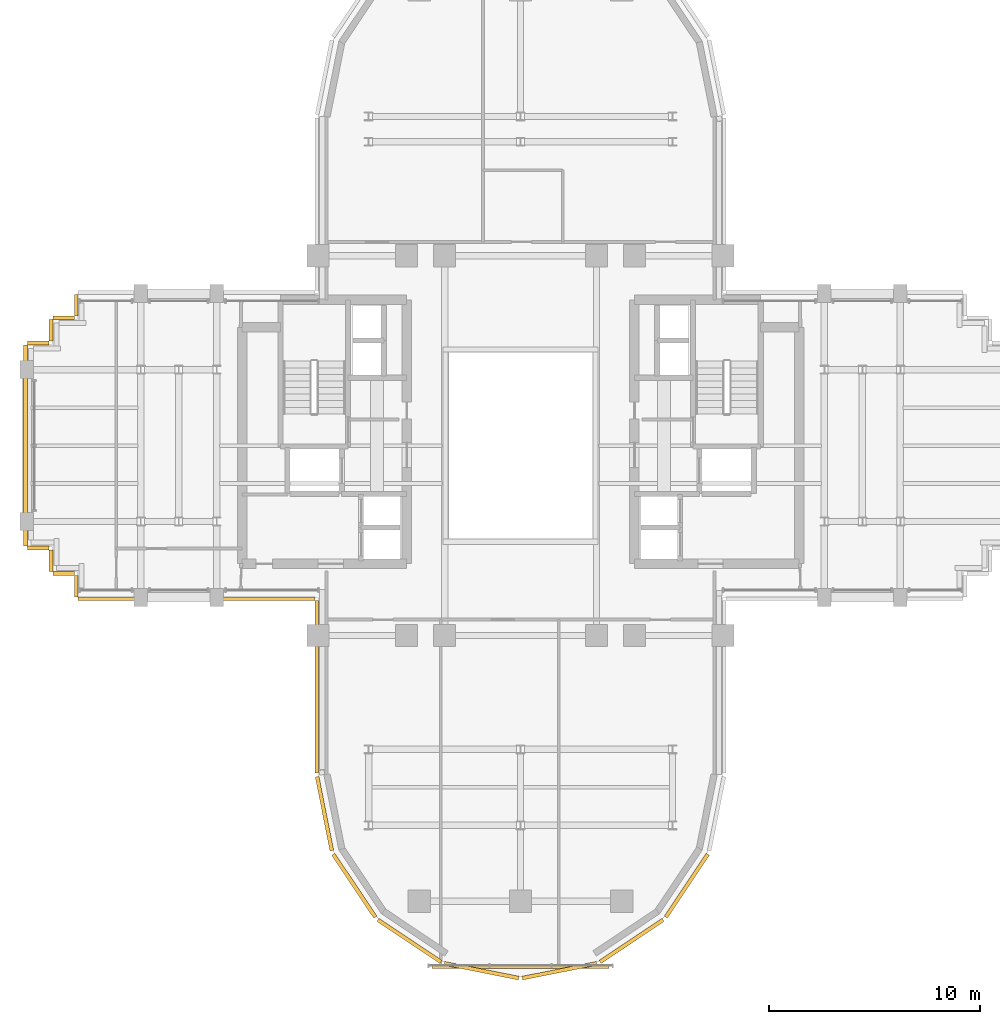
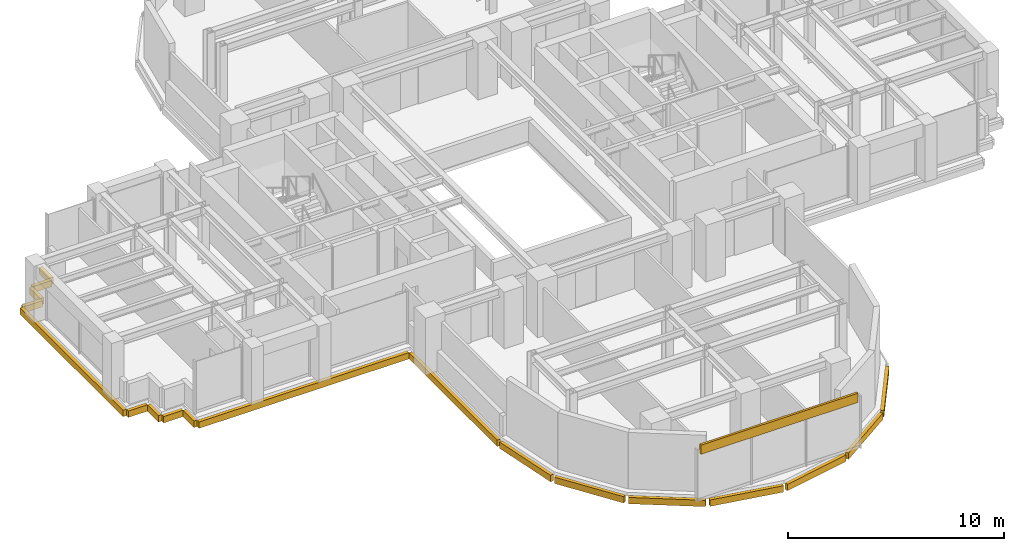
# One storey, part 11 of 13: 19 coverings.
"""IFC4 building model written with IfcOpenShell, lengths in metres."""

import ifcopenshell
import ifcopenshell.guid

model = None  # the IFC model being written
_history = None  # IfcOwnerHistory: only IFC2X3 demands one
_inside = {}  # id of a spatial element -> (the spatial element, [elements in it])
_under = {}  # id of a project, library or spatial element -> (it, [spatial elements below it])
_declared = {}  # id of a project -> (the project, [libraries it declares])
_typed = {}  # id of a type object -> (the type object, [elements of that type])
_made_of = {}  # id of a material, layer set ... -> (it, [elements and type objects made of it])


def new_model(schema):
    """Start an empty IFC model of exactly this schema.

    Asked for "IFC4X3", IfcOpenShell would pick the latest addendum, in which some entities
    have other attributes; the version numbers below select the first issue.
    IFC2X3 requires an IfcOwnerHistory on every rooted entity: one is made here for all.
    """
    global model, _history
    if schema == "IFC4X3":
        model = ifcopenshell.file(schema_version=(4, 3, 0, 0))
    else:
        model = ifcopenshell.file(schema=schema)
    _inside.clear()
    _under.clear()
    _declared.clear()
    _typed.clear()
    _made_of.clear()
    _history = None
    if model.schema == "IFC2X3":
        org = make("IfcOrganization", Name="unknown")
        user = make(
            "IfcPersonAndOrganization",
            ThePerson=make("IfcPerson", FamilyName="unknown"),
            TheOrganization=org,
        )
        app = make(
            "IfcApplication",
            ApplicationDeveloper=org,
            Version="unknown",
            ApplicationFullName="unknown",
            ApplicationIdentifier="unknown",
        )
        _history = make(
            "IfcOwnerHistory",
            OwningUser=user,
            OwningApplication=app,
            ChangeAction="ADDED",
            CreationDate=0,
        )
    return model


def make(cls, **values):
    """One entity of the class cls with the attributes given. An attribute that is None is left unset."""
    return model.create_entity(
        cls, **{name: value for name, value in values.items() if value is not None}
    )


def rooted(cls, **values):
    """An entity with a GlobalId (a new one), such as an element, a storey or a relation."""
    return make(cls, GlobalId=ifcopenshell.guid.new(), OwnerHistory=_history, **values)


def si_unit(unit_type, name, prefix=None):
    """IfcSIUnit, for example si_unit("LENGTHUNIT", "METRE", prefix="MILLI")."""
    return make("IfcSIUnit", UnitType=unit_type, Prefix=prefix, Name=name)


def assignment(units):
    """IfcUnitAssignment: the units of a project."""
    return None if units is None else make("IfcUnitAssignment", Units=units)


def point(xyz):
    """IfcCartesianPoint."""
    return None if xyz is None else make("IfcCartesianPoint", Coordinates=xyz)


def direction(xyz):
    """IfcDirection."""
    return None if xyz is None else make("IfcDirection", DirectionRatios=xyz)


def frame(location, z_axis=None, x_axis=None):
    """IfcAxis2Placement3D, a coordinate frame: its origin and axes. An axis left out is left unset."""
    return make(
        "IfcAxis2Placement3D",
        Location=point(location),
        Axis=direction(z_axis),
        RefDirection=direction(x_axis),
    )


def frame_2d(location, x_axis=None):
    """IfcAxis2Placement2D, a coordinate frame in the plane: its origin and x axis."""
    return make(
        "IfcAxis2Placement2D", Location=point(location), RefDirection=direction(x_axis)
    )


def origin():
    """The frame at (0, 0, 0) with its axes left unset."""
    return frame((0.0, 0.0, 0.0))


def origin_2d():
    """The frame at (0, 0) in the plane with its x axis left unset."""
    return frame_2d((0.0, 0.0))


def place(relative_to, where):
    """IfcLocalPlacement: puts the frame where relative to a parent placement (None: the world)."""
    return make(
        "IfcLocalPlacement", PlacementRelTo=relative_to, RelativePlacement=where
    )


def context(
    kind, dimensions, precision=None, world=None, true_north=None, identifier=None
):
    """IfcGeometricRepresentationContext, for example the 3D "Model" context."""
    return make(
        "IfcGeometricRepresentationContext",
        ContextIdentifier=identifier,
        ContextType=kind,
        CoordinateSpaceDimension=dimensions,
        Precision=precision,
        WorldCoordinateSystem=world,
        TrueNorth=true_north,
    )


def subcontext(parent, identifier, kind, view, scale=None):
    """IfcGeometricRepresentationSubContext, for example "Body" below "Model"."""
    return make(
        "IfcGeometricRepresentationSubContext",
        ContextIdentifier=identifier,
        ContextType=kind,
        ParentContext=parent,
        TargetScale=scale,
        TargetView=view,
    )


def project(units=None, contexts=None):
    """IfcProject with its units and contexts."""
    return rooted(
        "IfcProject",
        Name="project",
        RepresentationContexts=contexts,
        UnitsInContext=assignment(units),
    )


def spatial(cls, under=None, at=None, **own):
    """A site, building, storey or space (cls), placed at a placement, below another one or the project."""
    s = rooted(cls, ObjectPlacement=at, **own)
    if under is not None:
        _under.setdefault(under.id(), (under, []))[1].append(s)
    return s


def profile(cls, at=None, kind="AREA", **sizes):
    """A parametric profile (cls). Its sizes go by their IFC names, for example OverallWidth=200.0."""
    return make(cls, ProfileType=kind, Position=at, **sizes)


def rectangle(**sizes):
    """IfcRectangleProfileDef."""
    return profile("IfcRectangleProfileDef", **sizes)


def extrude(swept, where, along, depth):
    """IfcExtrudedAreaSolid: the profile swept, set in the frame where, extruded along a direction by depth."""
    return make(
        "IfcExtrudedAreaSolid",
        SweptArea=swept,
        Position=where,
        ExtrudedDirection=direction(along),
        Depth=depth,
    )


def shape(context_of_items, identifier, shape_type, items):
    """IfcShapeRepresentation: the items that make up one representation, for example the "Body"."""
    return make(
        "IfcShapeRepresentation",
        ContextOfItems=context_of_items,
        RepresentationIdentifier=identifier,
        RepresentationType=shape_type,
        Items=items,
    )


def source(mapping_origin, context_of_items, identifier, shape_type, items):
    """IfcRepresentationMap: a shape defined once, which mapped items show again and again."""
    return make(
        "IfcRepresentationMap",
        MappingOrigin=mapping_origin,
        MappedRepresentation=shape(context_of_items, identifier, shape_type, items),
    )


def transform(
    local_origin,
    x_axis=None,
    y_axis=None,
    z_axis=None,
    scale=None,
    scale2=None,
    scale3=None,
    uniform=True,
):
    """IfcCartesianTransformationOperator3D, or its non-uniform kind. x_axis, y_axis, z_axis: its Axis1, 2, 3."""
    if uniform:
        return make(
            "IfcCartesianTransformationOperator3D",
            Axis1=direction(x_axis),
            Axis2=direction(y_axis),
            LocalOrigin=point(local_origin),
            Scale=scale,
            Axis3=direction(z_axis),
        )
    return make(
        "IfcCartesianTransformationOperator3DnonUniform",
        Axis1=direction(x_axis),
        Axis2=direction(y_axis),
        LocalOrigin=point(local_origin),
        Scale=scale,
        Axis3=direction(z_axis),
        Scale2=scale2,
        Scale3=scale3,
    )


def mapped(mapping_source, mapping_target):
    """IfcMappedItem: shows the shape of a source again, moved by a transform."""
    return make(
        "IfcMappedItem", MappingSource=mapping_source, MappingTarget=mapping_target
    )


def material(Name=None, Category=None):
    """IfcMaterial."""
    return make("IfcMaterial", Name=Name, Category=Category)


def layer(
    of_material, thickness, ventilated=None, Name=None, Category=None, Priority=None
):
    """IfcMaterialLayer: one layer of a wall or slab, of a material (None: an air gap)."""
    return make(
        "IfcMaterialLayer",
        Material=of_material,
        LayerThickness=thickness,
        IsVentilated=ventilated,
        Name=Name,
        Category=Category,
        Priority=Priority,
    )


def layer_set(layers, Name=None):
    """IfcMaterialLayerSet."""
    return make("IfcMaterialLayerSet", MaterialLayers=layers, LayerSetName=Name)


def made_of(thing, what):
    """Note that an element or type object is made of a material, layer set ...; save() writes the relation."""
    if what is not None:
        _made_of.setdefault(what.id(), (what, []))[1].append(thing)
    return thing


def type_object(cls, material=None, **own):
    """A type object (cls), such as IfcWallType, which elements share."""
    return made_of(rooted(cls, **own), material)


def element(
    cls,
    number,
    at=None,
    inside=None,
    cuts=None,
    type_object=None,
    material=None,
    context=None,
    identifier="Body",
    shape_type=None,
    held_by="IfcProductDefinitionShape",
    body=None,
    shapes=None,
    **own,
):
    """One element of the class cls, such as IfcWall. Its Tag is "e" and its number.

    at: its placement. inside: the storey or other place that contains it. cuts: it is an
    opening in that element (IfcRelVoidsElement). A single representation is given by context,
    identifier, shape_type and body (its items); several are given by shapes. held_by: the class
    of the entity that holds the representations. save() writes the other relations.
    """
    e = rooted(cls, Tag="e%d" % number, ObjectPlacement=at, **own)
    if body is not None:
        shapes = [shape(context, identifier, shape_type, body)]
    if shapes is not None:
        e.Representation = make(held_by, Representations=shapes)
    if inside is not None:
        _inside.setdefault(inside.id(), (inside, []))[1].append(e)
    if cuts is not None:
        rooted(
            "IfcRelVoidsElement", RelatingBuildingElement=cuts, RelatedOpeningElement=e
        )
    if type_object is not None:
        _typed.setdefault(type_object.id(), (type_object, []))[1].append(e)
    return made_of(e, material)


def aggregate(whole, parts):
    """IfcRelAggregates: a whole, such as a stair, and the parts it consists of."""
    return rooted("IfcRelAggregates", RelatingObject=whole, RelatedObjects=parts)


def save(model, path):
    """Write the relations noted so far, then the file.

    IfcRelAggregates (storeys below a building ...), IfcRelContainedInSpatialStructure (elements
    in a storey), IfcRelDefinesByType, IfcRelAssociatesMaterial and IfcRelDeclares: one each for
    every whole, place, type object, material and project.
    """
    for whole, parts in _under.values():
        aggregate(whole, parts)
    for where, things in _inside.values():
        rooted(
            "IfcRelContainedInSpatialStructure",
            RelatedElements=things,
            RelatingStructure=where,
        )
    for kind, things in _typed.values():
        rooted("IfcRelDefinesByType", RelatedObjects=things, RelatingType=kind)
    for what, things in _made_of.values():
        rooted("IfcRelAssociatesMaterial", RelatedObjects=things, RelatingMaterial=what)
    for by, libraries in _declared.values():
        rooted("IfcRelDeclares", RelatingContext=by, RelatedDefinitions=libraries)
    model.write(path)


model = new_model("IFC4")

# Units and contexts
model_context = context("Model", 3, precision=1e-05, world=origin(), true_north=direction((0.0, 1.0)))
body_context = subcontext(model_context, "Body", "Model", "MODEL_VIEW")
ifc_project = project(units=[si_unit("LENGTHUNIT", "METRE"), si_unit("AREAUNIT", "SQUARE_METRE"), si_unit("VOLUMEUNIT", "CUBIC_METRE"), si_unit("PLANEANGLEUNIT", "RADIAN"), si_unit("MASSUNIT", "GRAM", prefix="KILO")], contexts=[model_context])

# Site, building, storey
site_placement = place(None, origin())
site = spatial("IfcSite", under=ifc_project, at=site_placement, CompositionType="ELEMENT")
building_placement = place(site_placement, origin())
building = spatial("IfcBuilding", under=site, at=building_placement, Name="Keilestroom Media Tower", CompositionType="ELEMENT")
storey_placement = place(building_placement, frame((0.0, 0.0, 144.800048828125)))
storey = spatial("IfcBuildingStorey", under=building, at=storey_placement, Name="L39", CompositionType="ELEMENT", Elevation=144.800048828125)

# Coverings
ifc_material = material(Name="Precast concrete C40/50", Category="concrete")
ifc_layer = layer(ifc_material, 0.1201171875)
ifc_layer_set = layer_set([ifc_layer], Name="Precast concrete C40/50")
covering_type = type_object("IfcCoveringType", Name="Exterior-Precast-Spandrel-Cladding-Panel-120", PredefinedType="CLADDING", material=ifc_layer_set)
shared_shape_1 = source(origin(), body_context, "Body", "SweptSolid", [
    extrude(rectangle(XDim=8.39990234375, YDim=0.1201171875, at=origin_2d()), origin(), (0.0, 0.0, 1.0), 0.52001953125),
])
covering_1_placement = place(storey_placement, frame((0.0, -24.719970703125, 2.68994140625), z_axis=(0.0, 0.0, 1.0), x_axis=(1.0, 0.0, 0.0)))
element("IfcCovering", 1, at=covering_1_placement, inside=storey, type_object=covering_type, Name="L39 Precast Spandrel Cladding S", PredefinedType="CLADDING", context=body_context, shape_type="MappedRepresentation", body=[
    mapped(shared_shape_1, transform((0.0, 0.0, 0.0), x_axis=(1.0, 0.0, 0.0), y_axis=(0.0, 1.0, 0.0), z_axis=(0.0, 0.0, 1.0), scale=1.0)),
])
shared_shape_2 = source(origin(), body_context, "Body", "SweptSolid", [
    extrude(rectangle(XDim=1.02001953125, YDim=0.179931640625, at=origin_2d()), origin(), (0.0, 0.0, 1.0), 0.360107421875),
])
for number, where, z_axis, x_axis, name in (
    (2, (-21.06005859375, -6.659912109375, -0.5400390625), (0.0, 0.0, 1.0), (0.0, 1.0, 0.0), "L39 Precast Slab-Edge Fascia Cornice 17"),
    (3, (-21.659912109375, -6.06005859375, -0.5400390625), (0.0, 0.0, 1.0), (-1.0, 0.0, 0.0), "L39 Precast Slab-Edge Fascia Cornice 18"),
    (4, (-22.260009765625, -5.4599609375, -0.5400390625), (0.0, 0.0, 1.0), (0.0, 1.0, 0.0), "L39 Precast Slab-Edge Fascia Cornice 19"),
    (5, (-22.860107421875, -4.860107421875, -0.5400390625), (0.0, 0.0, 1.0), (-1.0, 0.0, 0.0), "L39 Precast Slab-Edge Fascia Cornice 20"),
    (6, (-22.860107421875, 4.860107421875, -0.5400390625), (0.0, 0.0, 1.0), (1.0, 0.0, 0.0), "L39 Precast Slab-Edge Fascia Cornice 22"),
    (7, (-22.260009765625, 5.4599609375, -0.5400390625), (0.0, 0.0, 1.0), (0.0, 1.0, 0.0), "L39 Precast Slab-Edge Fascia Cornice 23"),
    (8, (-21.659912109375, 6.06005859375, -0.5400390625), (0.0, 0.0, 1.0), (1.0, 0.0, 0.0), "L39 Precast Slab-Edge Fascia Cornice 24"),
    (9, (-21.06005859375, 6.659912109375, -0.5400390625), (0.0, 0.0, 1.0), (0.0, 1.0, 0.0), "L39 Precast Slab-Edge Fascia Cornice 25"),
):
    element("IfcCovering", number, at=place(storey_placement, frame(where, z_axis=z_axis, x_axis=x_axis)), inside=storey, type_object=covering_type, Name=name, PredefinedType="CLADDING", context=body_context, shape_type="MappedRepresentation", body=[
        mapped(shared_shape_2, transform((0.0, 0.0, 0.0), x_axis=(1.0, 0.0, 0.0), y_axis=(0.0, 1.0, 0.0), z_axis=(0.0, 0.0, 1.0), scale=1.0)),
    ])
shared_shape_3 = source(origin(), body_context, "Body", "SweptSolid", [
    extrude(rectangle(XDim=8.166015625, YDim=0.179931640625, at=origin_2d()), origin(), (0.0, 0.0, 1.0), 0.360107421875),
])
covering_2_placement = place(storey_placement, frame((-9.659912109375, -11.43310546875, -0.5400390625), z_axis=(0.0, 0.0, 1.0), x_axis=(0.0, 1.0, 0.0)))
element("IfcCovering", 10, at=covering_2_placement, inside=storey, type_object=covering_type, Name="L39 Precast Slab-Edge Fascia Cornice 15", PredefinedType="CLADDING", context=body_context, shape_type="MappedRepresentation", body=[
    mapped(shared_shape_3, transform((0.0, 0.0, 0.0), x_axis=(1.0, 0.0, 0.0), y_axis=(0.0, 1.0, 0.0), z_axis=(0.0, 0.0, 1.0), scale=1.0)),
])
shared_shape_4 = source(origin(), body_context, "Body", "SweptSolid", [
    extrude(rectangle(XDim=3.58349609375, YDim=0.179931640625, at=origin_2d()), origin(), (0.0, 0.0, 1.0), 0.360107421875),
])
covering_3_placement = place(storey_placement, frame((-9.29296875, -17.45166015625, -0.5400390625), z_axis=(0.0, 0.0, 1.0), x_axis=(-0.195098880975, 0.980783577882, 0.0)))
element("IfcCovering", 11, at=covering_3_placement, inside=storey, type_object=covering_type, Name="L39 Precast Slab-Edge Fascia Cornice 14", PredefinedType="CLADDING", context=body_context, shape_type="MappedRepresentation", body=[
    mapped(shared_shape_4, transform((0.0, 0.0, 0.0), x_axis=(1.0, 0.0, 0.0), y_axis=(0.0, 1.0, 0.0), z_axis=(0.0, 0.0, 1.0), scale=1.0)),
])
shared_shape_5 = source(origin(), body_context, "Body", "SweptSolid", [
    extrude(rectangle(XDim=3.589599609375, YDim=0.179931640625, at=origin_2d()), origin(), (0.0, 0.0, 1.0), 0.360107421875),
])
for number, where, z_axis, x_axis, name in (
    (12, (7.878662109375, -20.8642578125, -0.5400390625), (0.0, 0.0, 1.0), (-0.555574586577, -0.831466703332, 0.0), "L39 Precast Slab-Edge Fascia Cornice 08"),
    (13, (5.264404296875, -23.478515625, -0.5400390625), (0.0, 0.0, 1.0), (-0.831466703332, -0.555574586577, 0.0), "L39 Precast Slab-Edge Fascia Cornice 09"),
    (14, (1.8486328125, -24.893310546875, -0.5400390625), (0.0, 0.0, 1.0), (-0.980783577882, -0.195098880975, 0.0), "L39 Precast Slab-Edge Fascia Cornice 10"),
    (15, (-1.8486328125, -24.893310546875, -0.5400390625), (0.0, 0.0, 1.0), (-0.980783577882, 0.195098880975, 0.0), "L39 Precast Slab-Edge Fascia Cornice 11"),
    (16, (-5.264404296875, -23.478515625, -0.5400390625), (0.0, 0.0, 1.0), (-0.831466703332, 0.555574586577, 0.0), "L39 Precast Slab-Edge Fascia Cornice 12"),
    (17, (-7.878662109375, -20.8642578125, -0.5400390625), (0.0, 0.0, 1.0), (-0.555574586577, 0.831466703332, 0.0), "L39 Precast Slab-Edge Fascia Cornice 13"),
):
    element("IfcCovering", number, at=place(storey_placement, frame(where, z_axis=z_axis, x_axis=x_axis)), inside=storey, type_object=covering_type, Name=name, PredefinedType="CLADDING", context=body_context, shape_type="MappedRepresentation", body=[
        mapped(shared_shape_5, transform((0.0, 0.0, 0.0), x_axis=(1.0, 0.0, 0.0), y_axis=(0.0, 1.0, 0.0), z_axis=(0.0, 0.0, 1.0), scale=1.0)),
    ])
shared_shape_6 = source(origin(), body_context, "Body", "SweptSolid", [
    extrude(rectangle(XDim=9.5400390625, YDim=0.179931640625, at=origin_2d()), origin(), (0.0, 0.0, 1.0), 0.360107421875),
])
covering_4_placement = place(storey_placement, frame((-23.4599609375, 0.0, -0.5400390625), z_axis=(0.0, 0.0, 1.0), x_axis=(0.0, 1.0, 0.0)))
element("IfcCovering", 18, at=covering_4_placement, inside=storey, type_object=covering_type, Name="L39 Precast Slab-Edge Fascia Cornice 21", PredefinedType="CLADDING", context=body_context, shape_type="MappedRepresentation", body=[
    mapped(shared_shape_6, transform((0.0, 0.0, 0.0), x_axis=(1.0, 0.0, 0.0), y_axis=(0.0, 1.0, 0.0), z_axis=(0.0, 0.0, 1.0), scale=1.0)),
])
shared_shape_7 = source(origin(), body_context, "Body", "SweptSolid", [
    extrude(rectangle(XDim=11.219970703125, YDim=0.179931640625, at=origin_2d()), origin(), (0.0, 0.0, 1.0), 0.360107421875),
])
covering_5_placement = place(storey_placement, frame((-15.360107421875, -7.260009765625, -0.5400390625), z_axis=(0.0, 0.0, 1.0), x_axis=(-1.0, 0.0, 0.0)))
element("IfcCovering", 19, at=covering_5_placement, inside=storey, type_object=covering_type, Name="L39 Precast Slab-Edge Fascia Cornice 16", PredefinedType="CLADDING", context=body_context, shape_type="MappedRepresentation", body=[
    mapped(shared_shape_7, transform((0.0, 0.0, 0.0), x_axis=(1.0, 0.0, 0.0), y_axis=(0.0, 1.0, 0.0), z_axis=(0.0, 0.0, 1.0), scale=1.0)),
])

save(model, "model.ifc")
